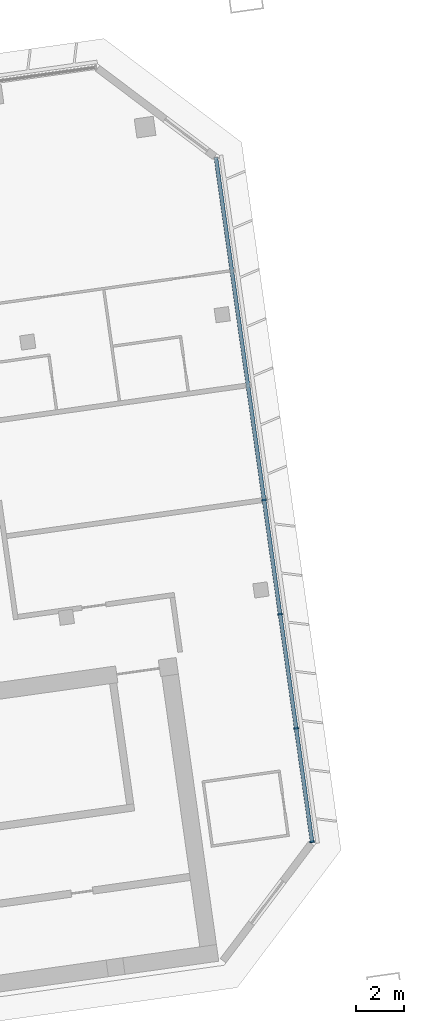
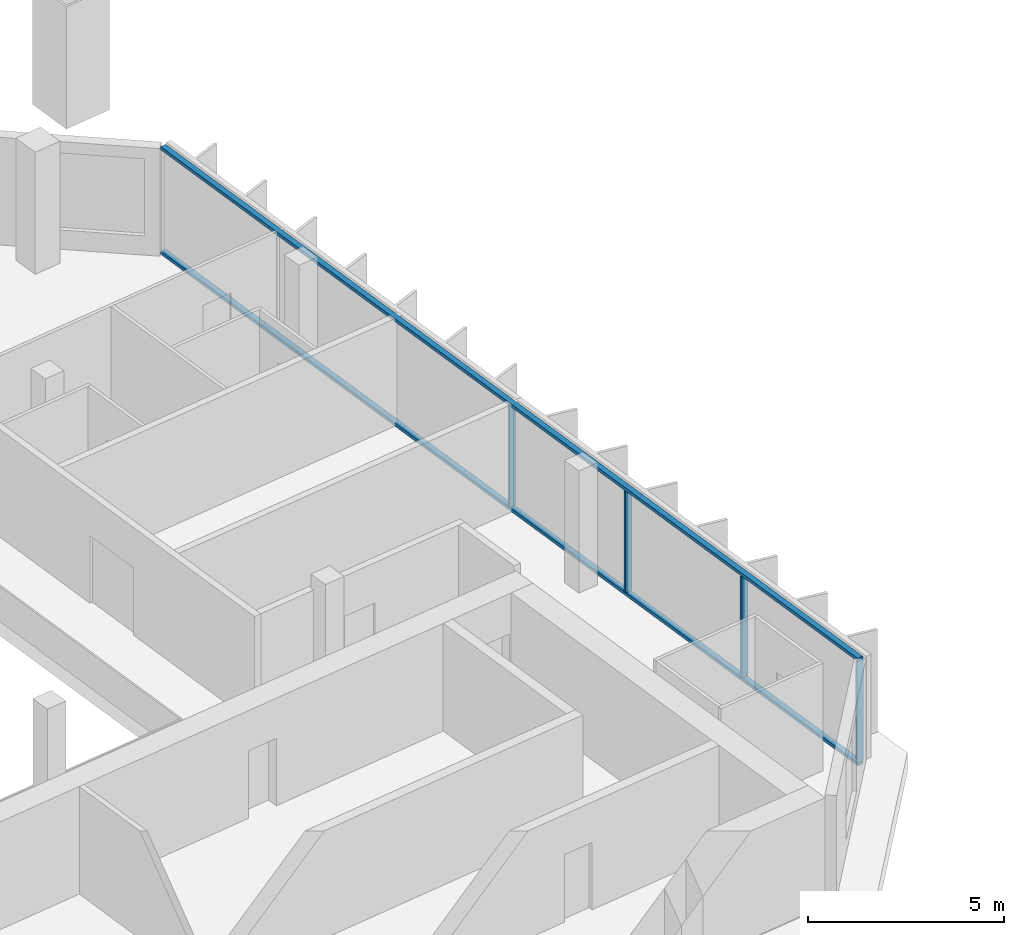
# One storey, part 8 of 22: 6 members, 1 element without a shape of its own.
"""IFC4 building model written with IfcOpenShell, lengths in metres."""

from ifc_helpers import new_model, si_unit, direction, frame, origin, origin_2d, place, context, subcontext, project, spatial, rectangle, extrude, material, material_profile, profile_set, type_object, element, aggregate, save


model = new_model("IFC4")

# Units and contexts
model_context = context("Model", 3, precision=1e-05, world=origin(), true_north=direction((0.0, 1.0)))
body_context = subcontext(model_context, "Body", "Model", "MODEL_VIEW")
ifc_project = project(units=[si_unit("LENGTHUNIT", "METRE"), si_unit("AREAUNIT", "SQUARE_METRE"), si_unit("VOLUMEUNIT", "CUBIC_METRE"), si_unit("PLANEANGLEUNIT", "RADIAN"), si_unit("MASSUNIT", "GRAM", prefix="KILO")], contexts=[model_context])

# Site, building, storey
site_placement = place(None, origin())
site = spatial("IfcSite", under=ifc_project, at=site_placement, CompositionType="ELEMENT")
building_placement = place(site_placement, origin())
building = spatial("IfcBuilding", under=site, at=building_placement, Name="Mirante Cascada Hotel Towers", CompositionType="ELEMENT")
storey_placement = place(building_placement, frame((0.0, 0.0, 191.6)))
storey = spatial("IfcBuildingStorey", under=building, at=storey_placement, Name="L45", CompositionType="ELEMENT", Elevation=191.6)

# Curtain wall, members
ifc_material_1 = material(Name="Aluminium mullion and transom frame with clear laminated glass", Category="aluminium")
curtain_wall_type = type_object("IfcCurtainWallType", Name="End ribbon curtain wall ECW2", PredefinedType="NOTDEFINED", material=ifc_material_1)
curtain_wall_placement = place(storey_placement, origin())
curtain_wall = element("IfcCurtainWall", 1, at=curtain_wall_placement, inside=storey, type_object=curtain_wall_type, Name="Outer end wall T2 L45", PredefinedType="NOTDEFINED")
ifc_material_2 = material(Name="Anodised aluminium extrusion", Category="aluminium")
ifc_material_profile_1 = material_profile(ifc_material_2, rectangle(XDim=0.2, YDim=0.065, at=origin_2d()), Name="ECW2 MULLION 65x200")
ifc_profile_set_1 = profile_set([ifc_material_profile_1], Name="Anodised aluminium extrusion")
member_type_1 = type_object("IfcMemberType", Name="ECW2 mullion 65x200", PredefinedType="MULLION", material=ifc_profile_set_1)
member_1_placement = place(storey_placement, frame((85.3308, -8.7707, 0.1), z_axis=(0.0, 0.0, 1.0), x_axis=(-0.9902681, -0.1391731, 0.0)))
member_1 = element("IfcMember", 2, at=member_1_placement, type_object=member_type_1, Name="ECW2 mullion 1", PredefinedType="MULLION", context=body_context, shape_type="SweptSolid", body=[
    extrude(rectangle(XDim=0.2, YDim=0.065, at=origin_2d()), origin(), (0.0, 0.0, 1.0), 3.15),
])
member_2_placement = place(storey_placement, frame((84.6655, -4.0371, 0.1), z_axis=(0.0, 0.0, 1.0), x_axis=(-0.9902681, -0.1391731, 0.0)))
member_2 = element("IfcMember", 3, at=member_2_placement, type_object=member_type_1, Name="ECW2 mullion 2", PredefinedType="MULLION", context=body_context, shape_type="SweptSolid", body=[
    extrude(rectangle(XDim=0.2, YDim=0.065, at=origin_2d()), origin(), (0.0, 0.0, 1.0), 3.15),
])
member_3_placement = place(storey_placement, frame((83.9957, 0.7287, 0.1), z_axis=(0.0, 0.0, 1.0), x_axis=(-0.9902681, -0.1391731, 0.0)))
member_3 = element("IfcMember", 4, at=member_3_placement, type_object=member_type_1, Name="ECW2 mullion 3", PredefinedType="MULLION", context=body_context, shape_type="SweptSolid", body=[
    extrude(rectangle(XDim=0.2, YDim=0.065, at=origin_2d()), origin(), (0.0, 0.0, 1.0), 3.15),
])
member_4_placement = place(storey_placement, frame((83.3259, 5.4945, 0.1), z_axis=(0.0, 0.0, 1.0), x_axis=(-0.9902681, -0.1391731, 0.0)))
member_4 = element("IfcMember", 5, at=member_4_placement, type_object=member_type_1, Name="ECW2 mullion 4", PredefinedType="MULLION", context=body_context, shape_type="SweptSolid", body=[
    extrude(rectangle(XDim=0.2, YDim=0.065, at=origin_2d()), origin(), (0.0, 0.0, 1.0), 3.15),
])
ifc_material_3 = material(Name="Anodised aluminium extrusion", Category="aluminium")
ifc_material_profile_2 = material_profile(ifc_material_3, rectangle(XDim=0.16, YDim=0.1, at=origin_2d()), Name="ECW2 TRANSOM 100x160")
ifc_profile_set_2 = profile_set([ifc_material_profile_2], Name="Anodised aluminium extrusion")
member_type_2 = type_object("IfcMemberType", Name="ECW2 transom 100x160", PredefinedType="USERDEFINED", material=ifc_profile_set_2)
member_5_placement = place(storey_placement, frame((85.3353, -8.8029, 0.05), z_axis=(-0.1391723, 0.9902682, 0.0), x_axis=(-0.9902682, -0.1391723, 0.0)))
member_5 = element("IfcMember", 6, at=member_5_placement, type_object=member_type_2, Name="ECW2 sill transom", ObjectType="TRANSOM", PredefinedType="USERDEFINED", context=body_context, shape_type="SweptSolid", body=[
    extrude(rectangle(XDim=0.16, YDim=0.1, at=origin_2d()), origin(), (0.0, 0.0, 1.0), 28.8757),
])
member_6_placement = place(storey_placement, frame((85.3353, -8.8029, 3.3), z_axis=(-0.1391723, 0.9902682, 0.0), x_axis=(-0.9902682, -0.1391723, 0.0)))
member_6 = element("IfcMember", 7, at=member_6_placement, type_object=member_type_2, Name="ECW2 head transom", ObjectType="TRANSOM", PredefinedType="USERDEFINED", context=body_context, shape_type="SweptSolid", body=[
    extrude(rectangle(XDim=0.16, YDim=0.1, at=origin_2d()), origin(), (0.0, 0.0, 1.0), 28.8757),
])
aggregate(curtain_wall, [member_5, member_6, member_1, member_2, member_3, member_4])

save(model, "model.ifc")
